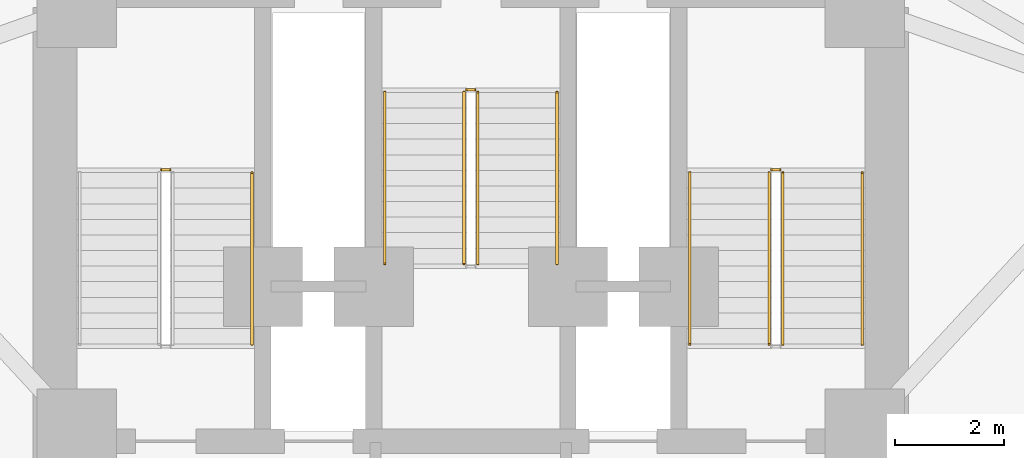
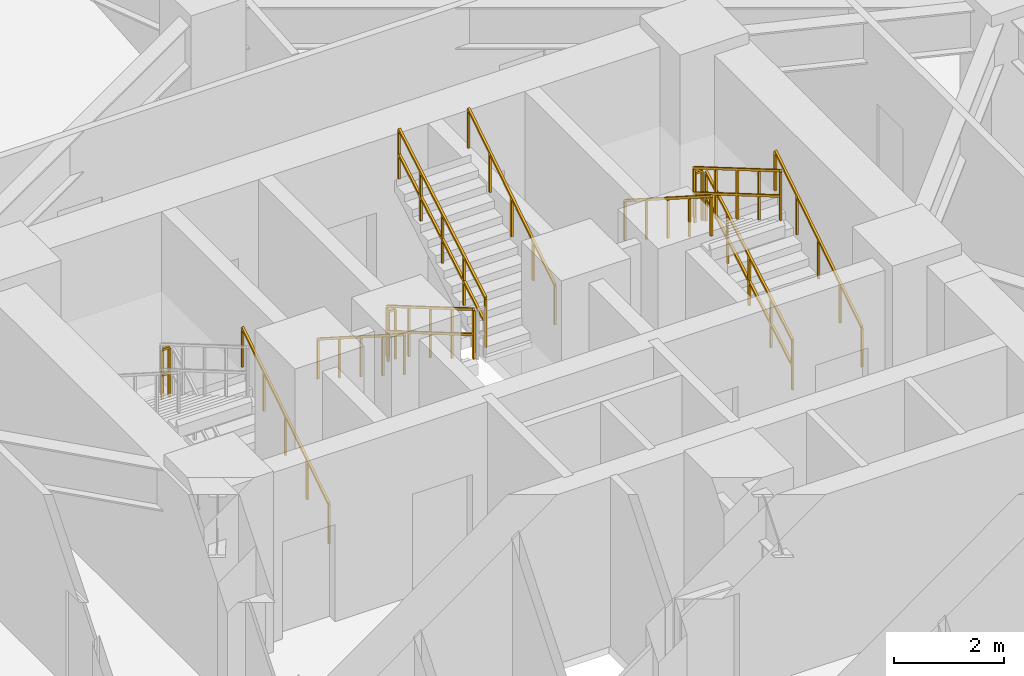
# One storey, part 16 of 17: 12 railings.
"""IFC4 building model written with IfcOpenShell, lengths in metres."""

from ifc_helpers import new_model, si_unit, direction, frame, origin, origin_2d, place, context, subcontext, project, spatial, rectangle, extrude, material, type_object, element, save


model = new_model("IFC4")

# Units and contexts
model_context = context("Model", 3, precision=1e-05, world=origin(), true_north=direction((0.0, 1.0)))
body_context = subcontext(model_context, "Body", "Model", "MODEL_VIEW")
ifc_project = project(units=[si_unit("LENGTHUNIT", "METRE"), si_unit("AREAUNIT", "SQUARE_METRE"), si_unit("VOLUMEUNIT", "CUBIC_METRE"), si_unit("PLANEANGLEUNIT", "RADIAN"), si_unit("MASSUNIT", "GRAM", prefix="KILO")], contexts=[model_context])

# Site, building, storey
site_placement = place(None, origin())
site = spatial("IfcSite", under=ifc_project, at=site_placement, CompositionType="ELEMENT")
building_placement = place(site_placement, origin())
building = spatial("IfcBuilding", under=site, at=building_placement, Name="Apsidion Concourse Tower", CompositionType="ELEMENT")
storey_placement = place(building_placement, frame((0.0, 0.0, 75.0)))
storey = spatial("IfcBuildingStorey", under=building, at=storey_placement, Name="L16", CompositionType="ELEMENT", Elevation=75.0)

# Railings
ifc_material = material(Name="Brushed stainless steel 316", Category="steel")
railing_type_1 = type_object("IfcRailingType", Name="RL-GUARD-1100", PredefinedType="GUARDRAIL", material=ifc_material)
railing_1_placement = place(storey_placement, frame((-5.5, 6.18505859375, 2.0)))
element("IfcRailing", 1, at=railing_1_placement, inside=storey, type_object=railing_type_1, Name="L16 ST1 stair guard 2", PredefinedType="GUARDRAIL", context=body_context, shape_type="SweptSolid", body=[
    extrude(rectangle(XDim=0.048095703125, YDim=0.048095703125, at=origin_2d()), frame((0.0, 0.0, 1.09619140625), z_axis=(-1.0, 0.0, 0.0), x_axis=(0.0, -1.0, 0.0)), (0.0, 0.0, 1.0), 0.14990234375),
    extrude(rectangle(XDim=0.048095703125, YDim=0.048095703125, at=origin_2d()), frame((0.0, 0.0, 0.5361328125), z_axis=(-1.0, 0.0, 0.0), x_axis=(0.0, -1.0, 0.0)), (0.0, 0.0, 1.0), 0.14990234375),
    extrude(rectangle(XDim=0.0419921875, YDim=0.0419921875, at=origin_2d()), origin(), (0.0, 0.0, 1.0), 1.072021484375),
    extrude(rectangle(XDim=0.0419921875, YDim=0.0419921875, at=origin_2d()), frame((-0.14990234375, 0.0, 0.0)), (0.0, 0.0, 1.0), 1.072021484375),
])
railing_2_placement = place(storey_placement, frame((5.699951171875, 3.0, 0.166748046875)))
element("IfcRailing", 2, at=railing_2_placement, inside=storey, type_object=railing_type_1, Name="L16 ST2 stair guard 1", PredefinedType="GUARDRAIL", context=body_context, shape_type="SweptSolid", body=[
    extrude(rectangle(XDim=0.048095703125, YDim=0.048095703125, at=origin_2d()), frame((0.0, 0.0, 1.09619140625), z_axis=(0.0, 0.863239559939, 0.504794475164), x_axis=(-1.0, 0.0, 0.0)), (0.0, 0.0, 1.0), 3.631591796875),
    extrude(rectangle(XDim=0.048095703125, YDim=0.048095703125, at=origin_2d()), frame((0.0, 0.0, 0.5361328125), z_axis=(0.0, 0.863239559939, 0.504794475164), x_axis=(-1.0, 0.0, 0.0)), (0.0, 0.0, 1.0), 3.631591796875),
    extrude(rectangle(XDim=0.0419921875, YDim=0.0419921875, at=origin_2d()), origin(), (0.0, 0.0, 1.0), 1.072021484375),
    extrude(rectangle(XDim=0.0419921875, YDim=0.0419921875, at=origin_2d()), frame((0.0, 0.78369140625, 0.458251953125)), (0.0, 0.0, 1.0), 1.072021484375),
    extrude(rectangle(XDim=0.0419921875, YDim=0.0419921875, at=origin_2d()), frame((0.0, 1.5673828125, 0.91650390625)), (0.0, 0.0, 1.0), 1.072021484375),
    extrude(rectangle(XDim=0.0419921875, YDim=0.0419921875, at=origin_2d()), frame((0.0, 2.351318359375, 1.375)), (0.0, 0.0, 1.0), 1.072021484375),
    extrude(rectangle(XDim=0.0419921875, YDim=0.0419921875, at=origin_2d()), frame((0.0, 3.135009765625, 1.833251953125)), (0.0, 0.0, 1.0), 1.072021484375),
])
railing_3_placement = place(storey_placement, frame((5.64990234375, 6.18505859375, 2.0)))
element("IfcRailing", 3, at=railing_3_placement, inside=storey, type_object=railing_type_1, Name="L16 ST2 stair guard 2", PredefinedType="GUARDRAIL", context=body_context, shape_type="SweptSolid", body=[
    extrude(rectangle(XDim=0.048095703125, YDim=0.048095703125, at=origin_2d()), frame((0.0, 0.0, 1.09619140625), z_axis=(-1.0, 0.0, 0.0), x_axis=(0.0, -1.0, 0.0)), (0.0, 0.0, 1.0), 0.14990234375),
    extrude(rectangle(XDim=0.048095703125, YDim=0.048095703125, at=origin_2d()), frame((0.0, 0.0, 0.5361328125), z_axis=(-1.0, 0.0, 0.0), x_axis=(0.0, -1.0, 0.0)), (0.0, 0.0, 1.0), 0.14990234375),
    extrude(rectangle(XDim=0.0419921875, YDim=0.0419921875, at=origin_2d()), origin(), (0.0, 0.0, 1.0), 1.072021484375),
    extrude(rectangle(XDim=0.0419921875, YDim=0.0419921875, at=origin_2d()), frame((-0.14990234375, 0.0, 0.0)), (0.0, 0.0, 1.0), 1.072021484375),
])
for number, where, name in (
    (4, (5.449951171875, 6.135009765625, 2.166748046875), "L16 ST2 stair guard 3"),
    (5, (-0.125, 7.60009765625, 0.166748046875), "L16 ST3 stair guard 1"),
):
    element("IfcRailing", number, at=place(storey_placement, frame(where)), inside=storey, type_object=railing_type_1, Name=name, PredefinedType="GUARDRAIL", context=body_context, shape_type="SweptSolid", body=[
        extrude(rectangle(XDim=0.048095703125, YDim=0.048095703125, at=origin_2d()), frame((0.0, 0.0, 1.09619140625), z_axis=(0.0, -0.863239559939, 0.504794475164), x_axis=(1.0, 0.0, 0.0)), (0.0, 0.0, 1.0), 3.631591796875),
        extrude(rectangle(XDim=0.048095703125, YDim=0.048095703125, at=origin_2d()), frame((0.0, 0.0, 0.5361328125), z_axis=(0.0, -0.863239559939, 0.504794475164), x_axis=(1.0, 0.0, 0.0)), (0.0, 0.0, 1.0), 3.631591796875),
        extrude(rectangle(XDim=0.0419921875, YDim=0.0419921875, at=origin_2d()), origin(), (0.0, 0.0, 1.0), 1.072021484375),
        extrude(rectangle(XDim=0.0419921875, YDim=0.0419921875, at=origin_2d()), frame((0.0, -0.78369140625, 0.458251953125)), (0.0, 0.0, 1.0), 1.072021484375),
        extrude(rectangle(XDim=0.0419921875, YDim=0.0419921875, at=origin_2d()), frame((0.0, -1.5673828125, 0.91650390625)), (0.0, 0.0, 1.0), 1.072021484375),
        extrude(rectangle(XDim=0.0419921875, YDim=0.0419921875, at=origin_2d()), frame((0.0, -2.351318359375, 1.375)), (0.0, 0.0, 1.0), 1.072021484375),
        extrude(rectangle(XDim=0.0419921875, YDim=0.0419921875, at=origin_2d()), frame((0.0, -3.135009765625, 1.833251953125)), (0.0, 0.0, 1.0), 1.072021484375),
    ])
railing_4_placement = place(storey_placement, frame((0.125, 4.465087890625, 2.166748046875)))
element("IfcRailing", 6, at=railing_4_placement, inside=storey, type_object=railing_type_1, Name="L16 ST3 stair guard 3", PredefinedType="GUARDRAIL", context=body_context, shape_type="SweptSolid", body=[
    extrude(rectangle(XDim=0.048095703125, YDim=0.048095703125, at=origin_2d()), frame((0.0, 0.0, 1.09619140625), z_axis=(0.0, 0.863239559939, 0.504794475164), x_axis=(-1.0, 0.0, 0.0)), (0.0, 0.0, 1.0), 3.631591796875),
    extrude(rectangle(XDim=0.048095703125, YDim=0.048095703125, at=origin_2d()), frame((0.0, 0.0, 0.5361328125), z_axis=(0.0, 0.863239559939, 0.504794475164), x_axis=(-1.0, 0.0, 0.0)), (0.0, 0.0, 1.0), 3.631591796875),
    extrude(rectangle(XDim=0.0419921875, YDim=0.0419921875, at=origin_2d()), origin(), (0.0, 0.0, 1.0), 1.072021484375),
    extrude(rectangle(XDim=0.0419921875, YDim=0.0419921875, at=origin_2d()), frame((0.0, 0.78369140625, 0.458251953125)), (0.0, 0.0, 1.0), 1.072021484375),
    extrude(rectangle(XDim=0.0419921875, YDim=0.0419921875, at=origin_2d()), frame((0.0, 1.5673828125, 0.91650390625)), (0.0, 0.0, 1.0), 1.072021484375),
    extrude(rectangle(XDim=0.0419921875, YDim=0.0419921875, at=origin_2d()), frame((0.0, 2.351318359375, 1.375)), (0.0, 0.0, 1.0), 1.072021484375),
    extrude(rectangle(XDim=0.0419921875, YDim=0.0419921875, at=origin_2d()), frame((0.0, 3.135009765625, 1.833251953125)), (0.0, 0.0, 1.0), 1.072021484375),
])
railing_5_placement = place(storey_placement, frame((-0.074951171875, 7.64990234375, 0.0)))
element("IfcRailing", 7, at=railing_5_placement, inside=storey, type_object=railing_type_1, Name="L16 ST3 stair guard 4", PredefinedType="GUARDRAIL", context=body_context, shape_type="SweptSolid", body=[
    extrude(rectangle(XDim=0.048095703125, YDim=0.048095703125, at=origin_2d()), frame((0.0, 0.0, 1.09619140625), z_axis=(1.0, 0.0, 0.0), x_axis=(0.0, 1.0, 0.0)), (0.0, 0.0, 1.0), 0.14990234375),
    extrude(rectangle(XDim=0.048095703125, YDim=0.048095703125, at=origin_2d()), frame((0.0, 0.0, 0.5361328125), z_axis=(1.0, 0.0, 0.0), x_axis=(0.0, 1.0, 0.0)), (0.0, 0.0, 1.0), 0.14990234375),
    extrude(rectangle(XDim=0.0419921875, YDim=0.0419921875, at=origin_2d()), origin(), (0.0, 0.0, 1.0), 1.072021484375),
    extrude(rectangle(XDim=0.0419921875, YDim=0.0419921875, at=origin_2d()), frame((0.14990234375, 0.0, 0.0)), (0.0, 0.0, 1.0), 1.072021484375),
])
railing_type_2 = type_object("IfcRailingType", Name="RL-HAND-900", PredefinedType="HANDRAIL", material=ifc_material)
for number, where, name in (
    (8, (-4.0, 3.0, 0.166748046875), "L16 ST1 stair handrail 1"),
    (9, (7.14990234375, 3.0, 0.166748046875), "L16 ST2 stair handrail 1"),
):
    element("IfcRailing", number, at=place(storey_placement, frame(where)), inside=storey, type_object=railing_type_2, Name=name, PredefinedType="HANDRAIL", context=body_context, shape_type="SweptSolid", body=[
        extrude(rectangle(XDim=0.048095703125, YDim=0.048095703125, at=origin_2d()), frame((0.0, 0.0, 0.8759765625), z_axis=(0.0, 0.843052688722, 0.537830980921), x_axis=(-1.0, 0.0, 0.0)), (0.0, 0.0, 1.0), 3.71875),
        extrude(rectangle(XDim=0.0419921875, YDim=0.0419921875, at=origin_2d()), origin(), (0.0, 0.0, 1.0), 0.851806640625),
        extrude(rectangle(XDim=0.0419921875, YDim=0.0419921875, at=origin_2d()), frame((0.0, 0.78369140625, 0.5)), (0.0, 0.0, 1.0), 0.851806640625),
        extrude(rectangle(XDim=0.0419921875, YDim=0.0419921875, at=origin_2d()), frame((0.0, 1.5673828125, 1.0)), (0.0, 0.0, 1.0), 0.851806640625),
        extrude(rectangle(XDim=0.0419921875, YDim=0.0419921875, at=origin_2d()), frame((0.0, 2.351318359375, 1.5)), (0.0, 0.0, 1.0), 0.851806640625),
        extrude(rectangle(XDim=0.0419921875, YDim=0.0419921875, at=origin_2d()), frame((0.0, 3.135009765625, 2.0)), (0.0, 0.0, 1.0), 0.851806640625),
    ])
for number, where, name in (
    (10, (4.0, 6.135009765625, 2.166748046875), "L16 ST2 stair handrail 2"),
    (11, (-1.574951171875, 7.60009765625, 0.166748046875), "L16 ST3 stair handrail 1"),
):
    element("IfcRailing", number, at=place(storey_placement, frame(where)), inside=storey, type_object=railing_type_2, Name=name, PredefinedType="HANDRAIL", context=body_context, shape_type="SweptSolid", body=[
        extrude(rectangle(XDim=0.048095703125, YDim=0.048095703125, at=origin_2d()), frame((0.0, 0.0, 0.8759765625), z_axis=(0.0, -0.843052688722, 0.537830980921), x_axis=(1.0, 0.0, 0.0)), (0.0, 0.0, 1.0), 3.71875),
        extrude(rectangle(XDim=0.0419921875, YDim=0.0419921875, at=origin_2d()), origin(), (0.0, 0.0, 1.0), 0.851806640625),
        extrude(rectangle(XDim=0.0419921875, YDim=0.0419921875, at=origin_2d()), frame((0.0, -0.78369140625, 0.5)), (0.0, 0.0, 1.0), 0.851806640625),
        extrude(rectangle(XDim=0.0419921875, YDim=0.0419921875, at=origin_2d()), frame((0.0, -1.5673828125, 1.0)), (0.0, 0.0, 1.0), 0.851806640625),
        extrude(rectangle(XDim=0.0419921875, YDim=0.0419921875, at=origin_2d()), frame((0.0, -2.351318359375, 1.5)), (0.0, 0.0, 1.0), 0.851806640625),
        extrude(rectangle(XDim=0.0419921875, YDim=0.0419921875, at=origin_2d()), frame((0.0, -3.135009765625, 2.0)), (0.0, 0.0, 1.0), 0.851806640625),
    ])
railing_6_placement = place(storey_placement, frame((1.574951171875, 4.465087890625, 2.166748046875)))
element("IfcRailing", 12, at=railing_6_placement, inside=storey, type_object=railing_type_2, Name="L16 ST3 stair handrail 2", PredefinedType="HANDRAIL", context=body_context, shape_type="SweptSolid", body=[
    extrude(rectangle(XDim=0.048095703125, YDim=0.048095703125, at=origin_2d()), frame((0.0, 0.0, 0.8759765625), z_axis=(0.0, 0.843052688722, 0.537830980921), x_axis=(-1.0, 0.0, 0.0)), (0.0, 0.0, 1.0), 3.71875),
    extrude(rectangle(XDim=0.0419921875, YDim=0.0419921875, at=origin_2d()), origin(), (0.0, 0.0, 1.0), 0.851806640625),
    extrude(rectangle(XDim=0.0419921875, YDim=0.0419921875, at=origin_2d()), frame((0.0, 0.78369140625, 0.5)), (0.0, 0.0, 1.0), 0.851806640625),
    extrude(rectangle(XDim=0.0419921875, YDim=0.0419921875, at=origin_2d()), frame((0.0, 1.5673828125, 1.0)), (0.0, 0.0, 1.0), 0.851806640625),
    extrude(rectangle(XDim=0.0419921875, YDim=0.0419921875, at=origin_2d()), frame((0.0, 2.351318359375, 1.5)), (0.0, 0.0, 1.0), 0.851806640625),
    extrude(rectangle(XDim=0.0419921875, YDim=0.0419921875, at=origin_2d()), frame((0.0, 3.135009765625, 2.0)), (0.0, 0.0, 1.0), 0.851806640625),
])

save(model, "model.ifc")
